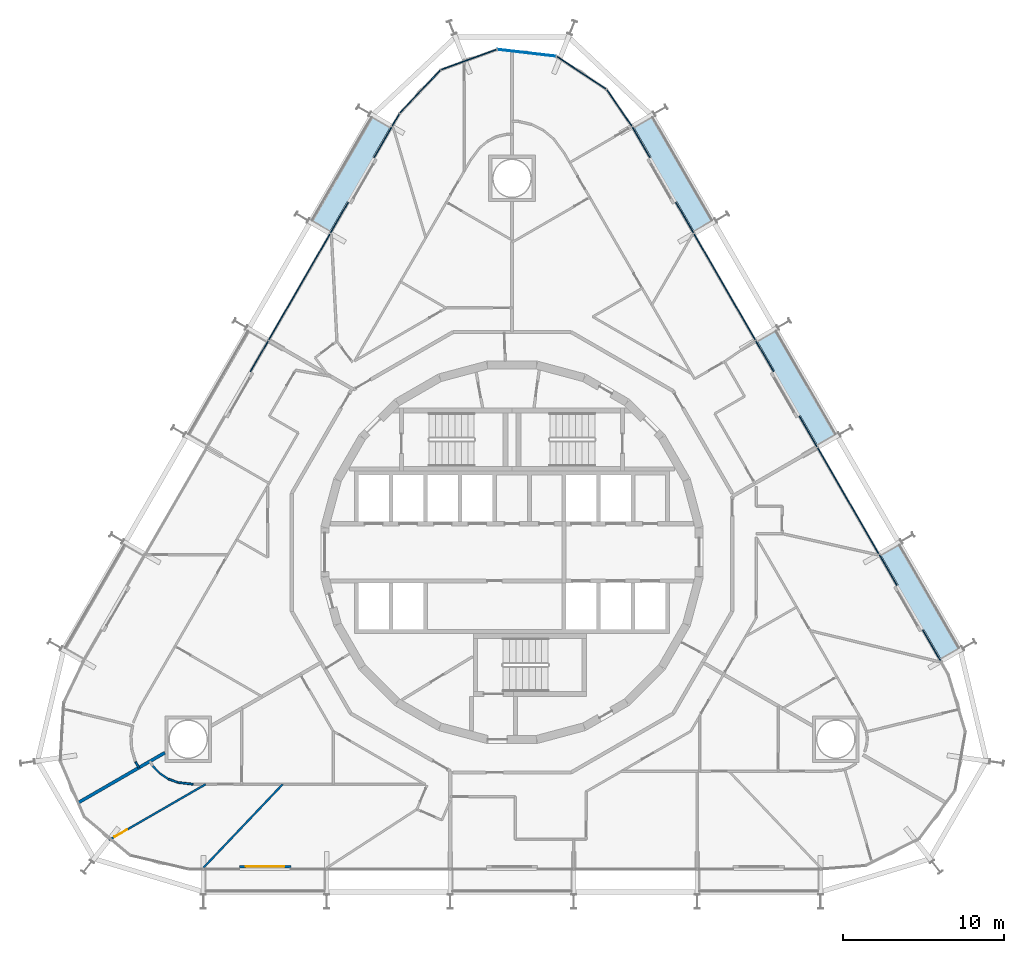
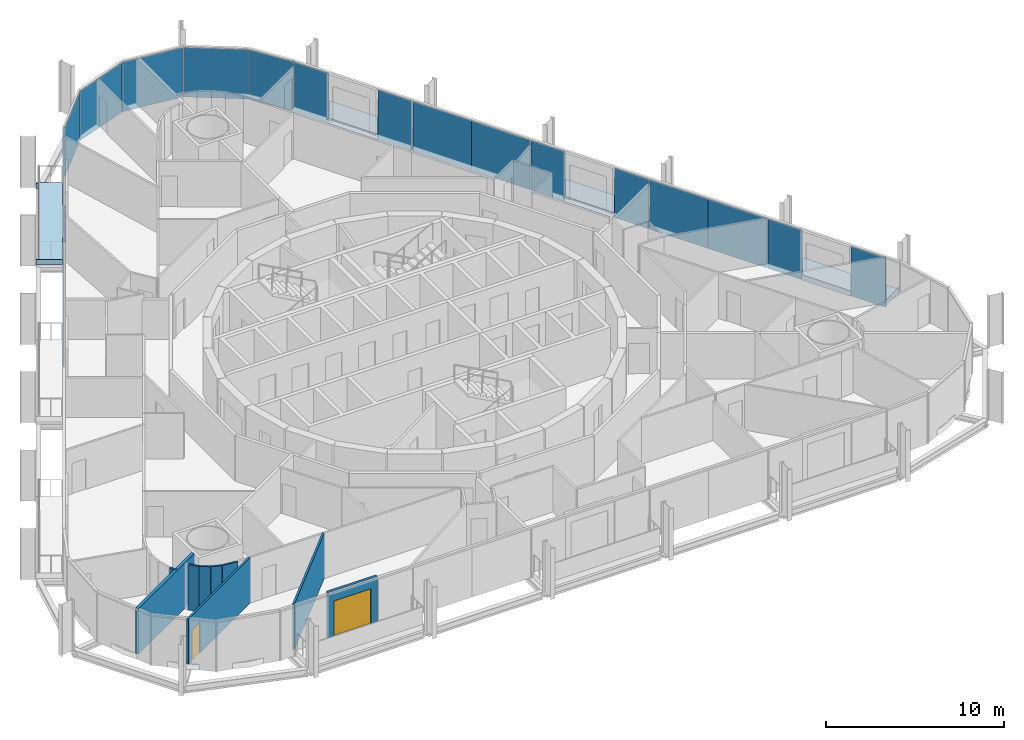
# One storey, part 12 of 21: 21 plates, 9 walls, 4 slabs, 2 doors, 2 openings, 3 elements without a shape of their own.
"""IFC4 building model written with IfcOpenShell, lengths in metres."""

from ifc_helpers import new_model, si_unit, direction, frame, frame_2d, origin, origin_2d, place, context, subcontext, project, spatial, polyline, rectangle, outline, extrude, material, layer, layer_set, type_object, element, fill, aggregate, save


model = new_model("IFC4")

# Units and contexts
model_context = context("Model", 3, precision=1e-05, world=origin(), true_north=direction((0.0, 1.0)))
body_context = subcontext(model_context, "Body", "Model", "MODEL_VIEW")
ifc_project = project(units=[si_unit("LENGTHUNIT", "METRE"), si_unit("AREAUNIT", "SQUARE_METRE"), si_unit("VOLUMEUNIT", "CUBIC_METRE"), si_unit("PLANEANGLEUNIT", "RADIAN"), si_unit("MASSUNIT", "GRAM", prefix="KILO")], contexts=[model_context])

# Site, building, storey
site_placement = place(None, origin())
site = spatial("IfcSite", under=ifc_project, at=site_placement, CompositionType="ELEMENT")
building_placement = place(site_placement, origin())
building = spatial("IfcBuilding", under=site, at=building_placement, Name="Spindle Arch Residences", CompositionType="ELEMENT")
storey_placement = place(building_placement, frame((0.0, 0.0, 48.89990234375)))
storey = spatial("IfcBuildingStorey", under=building, at=storey_placement, Name="L10", CompositionType="ELEMENT", Elevation=48.89990234375)

# Slabs
ifc_material_1 = material(Name="Concrete C40/50", Category="concrete")
ifc_layer_1 = layer(ifc_material_1, 0.3798828125)
ifc_layer_set_1 = layer_set([ifc_layer_1], Name="Balcony slab 380")
slab_type = type_object("IfcSlabType", Name="Balcony slab 380", PredefinedType="FLOOR", material=ifc_layer_set_1)
slab_1_placement = place(storey_placement, frame((0.0, 0.0, -0.3798828125)))
element("IfcSlab", 1, at=slab_1_placement, inside=storey, type_object=slab_type, Name="Balcony L10 bay 6", PredefinedType="FLOOR", context=body_context, shape_type="SweptSolid", body=[
    extrude(outline(polyline([(27.991455078125, -5.9228515625), (27.9541015625, -5.85791015625), (27.82421875, -5.93310546875), (24.134033203125, 0.458251953125), (24.263916015625, 0.533447265625), (24.2265625, 0.598388671875), (22.93603515625, -0.146728515625), (24.0185546875, -2.021728515625), (23.880126953125, -2.1015625), (25.47998046875, -4.873046875), (25.61865234375, -4.79296875), (26.701171875, -6.66796875), (27.991455078125, -5.9228515625)])), origin(), (0.0, 0.0, 1.0), 0.3798828125),
])
slab_2_placement = place(storey_placement, frame((0.0, 0.0, -0.3798828125)))
element("IfcSlab", 2, at=slab_2_placement, inside=storey, type_object=slab_type, Name="Balcony L10 bay 8", PredefinedType="FLOOR", context=body_context, shape_type="SweptSolid", body=[
    extrude(outline(polyline([(20.3115234375, 7.37939453125), (20.27392578125, 7.4443359375), (20.14404296875, 7.369384765625), (16.4541015625, 13.760498046875), (16.583984375, 13.835693359375), (16.54638671875, 13.900634765625), (15.256103515625, 13.155517578125), (16.338623046875, 11.280517578125), (16.199951171875, 11.20068359375), (17.800048828125, 8.42919921875), (17.9384765625, 8.50927734375), (19.02099609375, 6.63427734375), (20.3115234375, 7.37939453125)])), origin(), (0.0, 0.0, 1.0), 0.3798828125),
])
slab_3_placement = place(storey_placement, frame((0.0, 0.0, -0.3798828125)))
element("IfcSlab", 3, at=slab_3_placement, inside=storey, type_object=slab_type, Name="Balcony L10 bay 10", PredefinedType="FLOOR", context=body_context, shape_type="SweptSolid", body=[
    extrude(outline(polyline([(12.63134765625, 20.681640625), (12.593994140625, 20.74658203125), (12.4638671875, 20.671630859375), (8.77392578125, 27.06298828125), (8.90380859375, 27.137939453125), (8.866455078125, 27.202880859375), (7.575927734375, 26.457763671875), (8.658447265625, 24.582763671875), (8.52001953125, 24.5029296875), (10.119873046875, 21.731689453125), (10.258544921875, 21.8115234375), (11.341064453125, 19.9365234375), (12.63134765625, 20.681640625)])), origin(), (0.0, 0.0, 1.0), 0.3798828125),
])
slab_4_placement = place(storey_placement, frame((0.0, 0.0, -0.3798828125)))
element("IfcSlab", 4, at=slab_4_placement, inside=storey, type_object=slab_type, Name="Balcony L10 bay 14", PredefinedType="FLOOR", context=body_context, shape_type="SweptSolid", body=[
    extrude(outline(polyline([(-8.866455078125, 27.202880859375), (-8.90380859375, 27.137939453125), (-8.77392578125, 27.06298828125), (-12.4638671875, 20.671630859375), (-12.593994140625, 20.74658203125), (-12.63134765625, 20.681640625), (-11.341064453125, 19.9365234375), (-10.258544921875, 21.8115234375), (-10.119873046875, 21.731689453125), (-8.52001953125, 24.5029296875), (-8.658447265625, 24.582763671875), (-7.575927734375, 26.457763671875), (-8.866455078125, 27.202880859375)])), origin(), (0.0, 0.0, 1.0), 0.3798828125),
])

# Curtain wall, plates
ifc_material_2 = material(Name="Aluminium bronze unitised frame with tinted glass", Category="aluminium")
ifc_layer_2 = layer(ifc_material_2, 0.159912109375)
ifc_layer_set_2 = layer_set([ifc_layer_2], Name="CW-C typical residential unitised wall")
curtain_wall_type_1 = type_object("IfcCurtainWallType", Name="CW-C typical residential unitised wall", PredefinedType="NOTDEFINED", material=ifc_layer_set_2)
curtain_wall_1_placement = place(storey_placement, origin())
curtain_wall_1 = element("IfcCurtainWall", 5, at=curtain_wall_1_placement, inside=storey, type_object=curtain_wall_type_1, Name="CW-C L10 run 2", PredefinedType="NOTDEFINED")
ifc_material_3 = material(Name="Tinted double glazing over aluminium faced non-combustible spandrel zone (K0)", Category="aluminium")
ifc_layer_3 = layer(ifc_material_3, 0.06005859375)
ifc_layer_set_3 = layer_set([ifc_layer_3], Name="Unitised glass panel with E 60 spandrel zone")
plate_type = type_object("IfcPlateType", Name="Unitised glass panel with E 60 spandrel zone", PredefinedType="CURTAIN_PANEL", material=ifc_layer_set_3)
plate_1_placement = place(storey_placement, frame((26.101806640625, -5.7900390625, -0.3798828125), z_axis=(0.0, 0.0, 1.0), x_axis=(-0.5, 0.866025403784, 0.0)))
plate_1 = element("IfcPlate", 6, at=plate_1_placement, type_object=plate_type, Name="CW-C unit 05L", PredefinedType="CURTAIN_PANEL", context=body_context, shape_type="SweptSolid", body=[
    extrude(rectangle(XDim=2.2099609375, YDim=0.06005859375, at=origin_2d()), origin(), (0.0, 0.0, 1.0), 3.3798828125),
])
plate_2_placement = place(storey_placement, frame((23.396728515625, -1.104736328125, -0.3798828125), z_axis=(0.0, 0.0, 1.0), x_axis=(-0.5, 0.866025403784, 0.0)))
plate_2 = element("IfcPlate", 7, at=plate_2_placement, type_object=plate_type, Name="CW-C unit 05R", PredefinedType="CURTAIN_PANEL", context=body_context, shape_type="SweptSolid", body=[
    extrude(rectangle(XDim=2.2099609375, YDim=0.06005859375, at=origin_2d()), origin(), (0.0, 0.0, 1.0), 3.3798828125),
])
plate_3_placement = place(storey_placement, frame((21.86181640625, 1.553955078125, -0.3798828125), z_axis=(0.0, 0.0, 1.0), x_axis=(-0.5, 0.866025403784, 0.0)))
plate_3 = element("IfcPlate", 8, at=plate_3_placement, type_object=plate_type, Name="CW-C unit 06A", PredefinedType="CURTAIN_PANEL", context=body_context, shape_type="SweptSolid", body=[
    extrude(rectangle(XDim=3.81005859375, YDim=0.06005859375, at=origin_2d()), origin(), (0.0, 0.0, 1.0), 3.3798828125),
])
plate_4_placement = place(storey_placement, frame((19.956787109375, 4.853515625, -0.3798828125), z_axis=(0.0, 0.0, 1.0), x_axis=(-0.5, 0.866025403784, 0.0)))
plate_4 = element("IfcPlate", 9, at=plate_4_placement, type_object=plate_type, Name="CW-C unit 06B", PredefinedType="CURTAIN_PANEL", context=body_context, shape_type="SweptSolid", body=[
    extrude(rectangle(XDim=3.81005859375, YDim=0.06005859375, at=origin_2d()), origin(), (0.0, 0.0, 1.0), 3.3798828125),
])
plate_5_placement = place(storey_placement, frame((18.421875, 7.512451171875, -0.3798828125), z_axis=(0.0, 0.0, 1.0), x_axis=(-0.5, 0.866025403784, 0.0)))
plate_5 = element("IfcPlate", 10, at=plate_5_placement, type_object=plate_type, Name="CW-C unit 07L", PredefinedType="CURTAIN_PANEL", context=body_context, shape_type="SweptSolid", body=[
    extrude(rectangle(XDim=2.2099609375, YDim=0.06005859375, at=origin_2d()), origin(), (0.0, 0.0, 1.0), 3.3798828125),
])
plate_6_placement = place(storey_placement, frame((15.716796875, 12.197509765625, -0.3798828125), z_axis=(0.0, 0.0, 1.0), x_axis=(-0.5, 0.866025403784, 0.0)))
plate_6 = element("IfcPlate", 11, at=plate_6_placement, type_object=plate_type, Name="CW-C unit 07R", PredefinedType="CURTAIN_PANEL", context=body_context, shape_type="SweptSolid", body=[
    extrude(rectangle(XDim=2.2099609375, YDim=0.06005859375, at=origin_2d()), origin(), (0.0, 0.0, 1.0), 3.3798828125),
])
plate_7_placement = place(storey_placement, frame((14.181640625, 14.856201171875, -0.3798828125), z_axis=(0.0, 0.0, 1.0), x_axis=(-0.5, 0.866025403784, 0.0)))
plate_7 = element("IfcPlate", 12, at=plate_7_placement, type_object=plate_type, Name="CW-C unit 08A", PredefinedType="CURTAIN_PANEL", context=body_context, shape_type="SweptSolid", body=[
    extrude(rectangle(XDim=3.81005859375, YDim=0.06005859375, at=origin_2d()), origin(), (0.0, 0.0, 1.0), 3.3798828125),
])
plate_8_placement = place(storey_placement, frame((12.27685546875, 18.156005859375, -0.3798828125), z_axis=(0.0, 0.0, 1.0), x_axis=(-0.5, 0.866025403784, 0.0)))
plate_8 = element("IfcPlate", 13, at=plate_8_placement, type_object=plate_type, Name="CW-C unit 08B", PredefinedType="CURTAIN_PANEL", context=body_context, shape_type="SweptSolid", body=[
    extrude(rectangle(XDim=3.81005859375, YDim=0.06005859375, at=origin_2d()), origin(), (0.0, 0.0, 1.0), 3.3798828125),
])
plate_9_placement = place(storey_placement, frame((10.74169921875, 20.814697265625, -0.3798828125), z_axis=(0.0, 0.0, 1.0), x_axis=(-0.5, 0.866025403784, 0.0)))
plate_9 = element("IfcPlate", 14, at=plate_9_placement, type_object=plate_type, Name="CW-C unit 09L", PredefinedType="CURTAIN_PANEL", context=body_context, shape_type="SweptSolid", body=[
    extrude(rectangle(XDim=2.2099609375, YDim=0.06005859375, at=origin_2d()), origin(), (0.0, 0.0, 1.0), 3.3798828125),
])
plate_10_placement = place(storey_placement, frame((8.03662109375, 25.499755859375, -0.3798828125), z_axis=(0.0, 0.0, 1.0), x_axis=(-0.5, 0.866025403784, 0.0)))
plate_10 = element("IfcPlate", 15, at=plate_10_placement, type_object=plate_type, Name="CW-C unit 09R", PredefinedType="CURTAIN_PANEL", context=body_context, shape_type="SweptSolid", body=[
    extrude(rectangle(XDim=2.2099609375, YDim=0.06005859375, at=origin_2d()), origin(), (0.0, 0.0, 1.0), 3.3798828125),
])
aggregate(curtain_wall_1, [plate_1, plate_2, plate_3, plate_4, plate_5, plate_6, plate_7, plate_8, plate_9, plate_10])

ifc_material_4 = material(Name="Aluminium bronze unitised frame with tinted glass", Category="aluminium")
ifc_layer_4 = layer(ifc_material_4, 0.159912109375)
ifc_layer_set_4 = layer_set([ifc_layer_4], Name="CW-D corner wall on the fillet arcs")
curtain_wall_type_2 = type_object("IfcCurtainWallType", Name="CW-D corner wall on the fillet arcs", PredefinedType="NOTDEFINED", material=ifc_layer_set_4)
curtain_wall_2_placement = place(storey_placement, origin())
curtain_wall_2 = element("IfcCurtainWall", 16, at=curtain_wall_2_placement, inside=storey, type_object=curtain_wall_type_2, Name="CW-D L10 run 3", PredefinedType="NOTDEFINED")
plate_11_placement = place(storey_placement, frame((6.673095703125, 27.643798828125, -0.3798828125), z_axis=(0.0, 0.0, 1.0), x_axis=(-0.565500718711, 0.824747802142, 0.0)))
plate_11 = element("IfcPlate", 17, at=plate_11_placement, type_object=plate_type, Name="CW-D unit 00", PredefinedType="CURTAIN_PANEL", context=body_context, shape_type="SweptSolid", body=[
    extrude(rectangle(XDim=2.755126953125, YDim=0.06005859375, at=origin_2d()), origin(), (0.0, 0.0, 1.0), 3.3798828125),
])
plate_12_placement = place(storey_placement, frame((4.3203125, 29.82861328125, -0.3798828125), z_axis=(0.0, 0.0, 1.0), x_axis=(-0.835487811704, 0.549508977628, 0.0)))
plate_12 = element("IfcPlate", 18, at=plate_12_placement, type_object=plate_type, Name="CW-D unit 01", PredefinedType="CURTAIN_PANEL", context=body_context, shape_type="SweptSolid", body=[
    extrude(rectangle(XDim=3.666748046875, YDim=0.06005859375, at=origin_2d()), origin(), (0.0, 0.0, 1.0), 3.3798828125),
])
plate_13_placement = place(storey_placement, frame((0.912841796875, 31.06884765625, -0.3798828125), z_axis=(0.0, 0.0, 1.0), x_axis=(-0.993238357591, 0.116092915414, 0.0)))
plate_13 = element("IfcPlate", 19, at=plate_13_placement, type_object=plate_type, Name="CW-D unit 02", PredefinedType="CURTAIN_PANEL", context=body_context, shape_type="SweptSolid", body=[
    extrude(rectangle(XDim=3.666748046875, YDim=0.06005859375, at=origin_2d()), origin(), (0.0, 0.0, 1.0), 3.3798828125),
])
plate_14_placement = place(storey_placement, frame((-2.68896484375, 30.64794921875, -0.3798828125), z_axis=(0.0, 0.0, 1.0), x_axis=(-0.939692621437, -0.342020141538, 0.0)))
plate_14 = element("IfcPlate", 20, at=plate_14_placement, type_object=plate_type, Name="CW-D unit 03", PredefinedType="CURTAIN_PANEL", context=body_context, shape_type="SweptSolid", body=[
    extrude(rectangle(XDim=3.666748046875, YDim=0.06005859375, at=origin_2d()), origin(), (0.0, 0.0, 1.0), 3.3798828125),
])
plate_15_placement = place(storey_placement, frame((-5.71875, 28.6552734375, -0.3798828125), z_axis=(0.0, 0.0, 1.0), x_axis=(-0.686241639236, -0.727373640284, 0.0)))
plate_15 = element("IfcPlate", 21, at=plate_15_placement, type_object=plate_type, Name="CW-D unit 04", PredefinedType="CURTAIN_PANEL", context=body_context, shape_type="SweptSolid", body=[
    extrude(rectangle(XDim=3.666748046875, YDim=0.06005859375, at=origin_2d()), origin(), (0.0, 0.0, 1.0), 3.3798828125),
])
plate_16_placement = place(storey_placement, frame((-7.2333984375, 26.891357421875, -0.3798828125), z_axis=(0.0, 0.0, 1.0), x_axis=(-0.5, -0.866025403784, 0.0)))
plate_16 = element("IfcPlate", 22, at=plate_16_placement, type_object=plate_type, Name="CW-D unit 05", PredefinedType="CURTAIN_PANEL", context=body_context, shape_type="SweptSolid", body=[
    extrude(rectangle(XDim=0.88330078125, YDim=0.06005859375, at=origin_2d()), origin(), (0.0, 0.0, 1.0), 3.3798828125),
])
aggregate(curtain_wall_2, [plate_11, plate_12, plate_13, plate_14, plate_15, plate_16])

curtain_wall_3_placement = place(storey_placement, origin())
curtain_wall_3 = element("IfcCurtainWall", 23, at=curtain_wall_3_placement, inside=storey, type_object=curtain_wall_type_1, Name="CW-C L10 run 4", PredefinedType="NOTDEFINED")
plate_17_placement = place(storey_placement, frame((-8.03662109375, 25.499755859375, -0.3798828125), z_axis=(0.0, 0.0, 1.0), x_axis=(-0.5, -0.866025403784, 0.0)))
plate_17 = element("IfcPlate", 24, at=plate_17_placement, type_object=plate_type, Name="CW-C unit 13L", PredefinedType="CURTAIN_PANEL", context=body_context, shape_type="SweptSolid", body=[
    extrude(rectangle(XDim=2.2099609375, YDim=0.06005859375, at=origin_2d()), origin(), (0.0, 0.0, 1.0), 3.3798828125),
])
plate_18_placement = place(storey_placement, frame((-10.74169921875, 20.814697265625, -0.3798828125), z_axis=(0.0, 0.0, 1.0), x_axis=(-0.5, -0.866025403784, 0.0)))
plate_18 = element("IfcPlate", 25, at=plate_18_placement, type_object=plate_type, Name="CW-C unit 13R", PredefinedType="CURTAIN_PANEL", context=body_context, shape_type="SweptSolid", body=[
    extrude(rectangle(XDim=2.2099609375, YDim=0.06005859375, at=origin_2d()), origin(), (0.0, 0.0, 1.0), 3.3798828125),
])
plate_19_placement = place(storey_placement, frame((-12.27685546875, 18.156005859375, -0.3798828125), z_axis=(0.0, 0.0, 1.0), x_axis=(-0.5, -0.866025403784, 0.0)))
plate_19 = element("IfcPlate", 26, at=plate_19_placement, type_object=plate_type, Name="CW-C unit 14A", PredefinedType="CURTAIN_PANEL", context=body_context, shape_type="SweptSolid", body=[
    extrude(rectangle(XDim=3.81005859375, YDim=0.06005859375, at=origin_2d()), origin(), (0.0, 0.0, 1.0), 3.3798828125),
])
plate_20_placement = place(storey_placement, frame((-14.181640625, 14.856201171875, -0.3798828125), z_axis=(0.0, 0.0, 1.0), x_axis=(-0.5, -0.866025403784, 0.0)))
plate_20 = element("IfcPlate", 27, at=plate_20_placement, type_object=plate_type, Name="CW-C unit 14B", PredefinedType="CURTAIN_PANEL", context=body_context, shape_type="SweptSolid", body=[
    extrude(rectangle(XDim=3.81005859375, YDim=0.06005859375, at=origin_2d()), origin(), (0.0, 0.0, 1.0), 3.3798828125),
])
plate_21_placement = place(storey_placement, frame((-15.716796875, 12.197509765625, -0.3798828125), z_axis=(0.0, 0.0, 1.0), x_axis=(-0.5, -0.866025403784, 0.0)))
plate_21 = element("IfcPlate", 28, at=plate_21_placement, type_object=plate_type, Name="CW-C unit 15L", PredefinedType="CURTAIN_PANEL", context=body_context, shape_type="SweptSolid", body=[
    extrude(rectangle(XDim=2.2099609375, YDim=0.06005859375, at=origin_2d()), origin(), (0.0, 0.0, 1.0), 3.3798828125),
])
aggregate(curtain_wall_3, [plate_17, plate_18, plate_19, plate_20, plate_21])

# Walls
ifc_material_5 = material(Name="Plasterboard on steel studs", Category="steel")
ifc_layer_5 = layer(ifc_material_5, 0.1201171875)
ifc_layer_set_5 = layer_set([ifc_layer_5], Name="Flat partition 120")
wall_type_1 = type_object("IfcWallType", Name="Flat partition 120", PredefinedType="PARTITIONING", material=ifc_layer_set_5)
wall_1_placement = place(storey_placement, frame((-23.421630859375, -13.0439453125, 0.0), z_axis=(0.0, 0.0, 1.0), x_axis=(0.50013037474, -0.865950118807, 0.0)))
element("IfcWall", 29, at=wall_1_placement, inside=storey, type_object=wall_type_1, Name="Flat partition R1B1-W077", PredefinedType="PARTITIONING", context=body_context, shape_type="SweptSolid", body=[
    extrude(rectangle(XDim=0.41455078125, YDim=0.1201171875, at=frame_2d((0.207275390625, 0.0))), origin(), (0.0, 0.0, 1.0), 3.1201171875),
])
wall_2_placement = place(storey_placement, frame((-19.8408203125, -14.429931640625, 0.0), z_axis=(0.0, 0.0, 1.0), x_axis=(-0.993245320107, 0.116033331788, 0.0)))
element("IfcWall", 30, at=wall_2_placement, inside=storey, type_object=wall_type_1, Name="Flat partition R1B1-W084", PredefinedType="PARTITIONING", context=body_context, shape_type="SweptSolid", body=[
    extrude(rectangle(XDim=0.94677734375, YDim=0.1201171875, at=frame_2d((0.473388671875, 0.0))), origin(), (0.0, 0.0, 1.0), 3.1201171875),
])
for number, where, z_axis, x_axis, name in (
    (31, (-20.78125, -14.320068359375, 0.0), (0.0, 0.0, 1.0), (-0.939737891858, 0.341895736455, 0.0), "Flat partition R1B1-W085"),
    (32, (-21.384521484375, -14.1005859375, 0.0), (0.0, 0.0, 1.0), (-0.835371114389, 0.549686366253, 0.0), "Flat partition R1B1-W086"),
    (33, (-21.920654296875, -13.747802734375, 0.0), (0.0, 0.0, 1.0), (-0.686265997785, 0.727350658406, 0.0), "Flat partition R1B1-W087"),
):
    element("IfcWall", number, at=place(storey_placement, frame(where, z_axis=z_axis, x_axis=x_axis)), inside=storey, type_object=wall_type_1, Name=name, PredefinedType="PARTITIONING", context=body_context, shape_type="SweptSolid", body=[
        extrude(rectangle(XDim=0.641845703125, YDim=0.1201171875, at=frame_2d((0.32080078125, 0.0))), origin(), (0.0, 0.0, 1.0), 3.1201171875),
    ])

# Wall, opening, door
wall_3_placement = place(storey_placement, frame((-25.068359375, -17.9013671875, 0.0), z_axis=(0.0, 0.0, 1.0), x_axis=(0.866025136247, 0.500000463387, 0.0)))
wall_3 = element("IfcWall", 34, at=wall_3_placement, inside=storey, type_object=wall_type_1, Name="Flat partition R1B1-W089", PredefinedType="PARTITIONING", context=body_context, shape_type="SweptSolid", body=[
    extrude(rectangle(XDim=6.94287109375, YDim=0.1201171875, at=frame_2d((3.471435546875, 0.0))), origin(), (0.0, 0.0, 1.0), 3.1201171875),
])
opening_1_placement = place(wall_3_placement, frame((0.39990234375, 0.0, 0.0)))
opening_1 = element("IfcOpeningElement", 35, at=opening_1_placement, cuts=wall_3, Name="Opening R1B1-ID23", PredefinedType="OPENING", context=body_context, shape_type="SweptSolid", body=[
    extrude(rectangle(XDim=0.89990234375, YDim=2.10009765625, at=frame_2d((0.449951171875, 1.050048828125))), frame((0.0, 0.070068359375, 0.0), z_axis=(0.0, -1.0, 0.0), x_axis=(1.0, 0.0, 0.0)), (0.0, 0.0, 1.0), 0.14013671875),
])
ifc_material_6 = material(Name="Timber door set", Category="wood")
door_type_1 = type_object("IfcDoorType", Name="Room door 900x2100", OperationType="NOTDEFINED", PredefinedType="DOOR", material=ifc_material_6)
door_1_placement = place(opening_1_placement, origin())
door_1 = element("IfcDoor", 36, at=door_1_placement, inside=storey, type_object=door_type_1, Name="Room door R1B1-ID23", OperationType="SINGLE_SWING_LEFT", OverallHeight=2.10009765625, OverallWidth=0.89990234375, PredefinedType="DOOR", context=body_context, shape_type="SweptSolid", body=[
    extrude(rectangle(XDim=0.89990234375, YDim=2.10009765625, at=frame_2d((0.449951171875, 1.050048828125))), frame((0.0, 0.02490234375, 0.0), z_axis=(0.0, -1.0, 0.0), x_axis=(1.0, 0.0, 0.0)), (0.0, 0.0, 1.0), 0.050048828125),
])
fill(opening_1, door_1)

# Walls
wall_4_placement = place(storey_placement, frame((-19.2001953125, -19.6298828125, 0.0), z_axis=(0.0, 0.0, 1.0), x_axis=(0.688551680792, 0.72518727435, 0.0)))
element("IfcWall", 37, at=wall_4_placement, inside=storey, type_object=wall_type_1, Name="Flat partition R1B1-W092", PredefinedType="PARTITIONING", context=body_context, shape_type="SweptSolid", body=[
    extrude(rectangle(XDim=7.17041015625, YDim=0.1201171875, at=frame_2d((3.585205078125, 0.0))), origin(), (0.0, 0.0, 1.0), 3.1201171875),
])
ifc_material_7 = material(Name="Calcium silicate block, plastered")
ifc_layer_6 = layer(ifc_material_7, 0.199951171875)
ifc_layer_set_6 = layer_set([ifc_layer_6], Name="Flat party wall 200")
wall_type_2 = type_object("IfcWallType", Name="Flat party wall 200", PredefinedType="STANDARD", material=ifc_layer_set_6)
wall_5_placement = place(storey_placement, frame((-27.02490234375, -15.602783203125, 0.0), z_axis=(0.0, 0.0, 1.0), x_axis=(0.866030653443, 0.499990907215, 0.0)))
element("IfcWall", 38, at=wall_5_placement, inside=storey, type_object=wall_type_2, Name="Flat party wall R1B1-W023", PredefinedType="STANDARD", context=body_context, shape_type="SweptSolid", body=[
    extrude(rectangle(XDim=6.271484375, YDim=0.199951171875, at=frame_2d((3.1357421875, 0.0))), origin(), (0.0, 0.0, 1.0), 3.1201171875),
])

# Wall, opening, door
ifc_material_8 = material(Name="Non-combustible mineral wool insulated aluminium faced external wall (K0)", Category="aluminium")
ifc_layer_7 = layer(ifc_material_8, 0.159912109375)
ifc_layer_set_7 = layer_set([ifc_layer_7], Name="Insulated external wall panel 160")
wall_type_3 = type_object("IfcWallType", Name="Insulated external wall panel 160", PredefinedType="STANDARD", material=ifc_layer_set_7)
wall_6_placement = place(storey_placement, frame((-16.960205078125, -19.5498046875, 0.0), z_axis=(0.0, 0.0, 1.0), x_axis=(1.0, 0.0, 0.0)))
wall_6 = element("IfcWall", 39, at=wall_6_placement, inside=storey, type_object=wall_type_3, Name="External wall L10 bay 22", PredefinedType="STANDARD", context=body_context, shape_type="SweptSolid", body=[
    extrude(rectangle(XDim=3.199951171875, YDim=0.159912109375, at=frame_2d((1.60009765625, 0.0))), origin(), (0.0, 0.0, 1.0), 3.1201171875),
])
opening_2_placement = place(wall_6_placement, frame((0.39990234375, 0.0, 0.0)))
opening_2 = element("IfcOpeningElement", 40, at=opening_2_placement, cuts=wall_6, Name="Opening BD22", PredefinedType="OPENING", context=body_context, shape_type="SweptSolid", body=[
    extrude(rectangle(XDim=2.39990234375, YDim=2.39990234375, at=frame_2d((1.199951171875, 1.199951171875))), frame((0.0, 0.08984375, 0.0), z_axis=(0.0, -1.0, 0.0), x_axis=(1.0, 0.0, 0.0)), (0.0, 0.0, 1.0), 0.179931640625),
])
ifc_material_9 = material(Name="Bronze aluminium frame, tinted double glazing", Category="aluminium")
door_type_2 = type_object("IfcDoorType", Name="Sliding glazed balcony door 2400x2400", OperationType="DOUBLE_DOOR_SLIDING", PredefinedType="DOOR", material=ifc_material_9)
door_2_placement = place(opening_2_placement, origin())
door_2 = element("IfcDoor", 41, at=door_2_placement, inside=storey, type_object=door_type_2, Name="Balcony door BD22", OperationType="DOUBLE_DOOR_SLIDING", OverallHeight=2.39990234375, OverallWidth=2.39990234375, PredefinedType="DOOR", context=body_context, shape_type="SweptSolid", body=[
    extrude(rectangle(XDim=2.39990234375, YDim=2.39990234375, at=frame_2d((1.199951171875, 1.199951171875))), frame((0.0, 0.02490234375, 0.0), z_axis=(0.0, -1.0, 0.0), x_axis=(1.0, 0.0, 0.0)), (0.0, 0.0, 1.0), 0.050048828125),
])
fill(opening_2, door_2)

save(model, "model.ifc")
